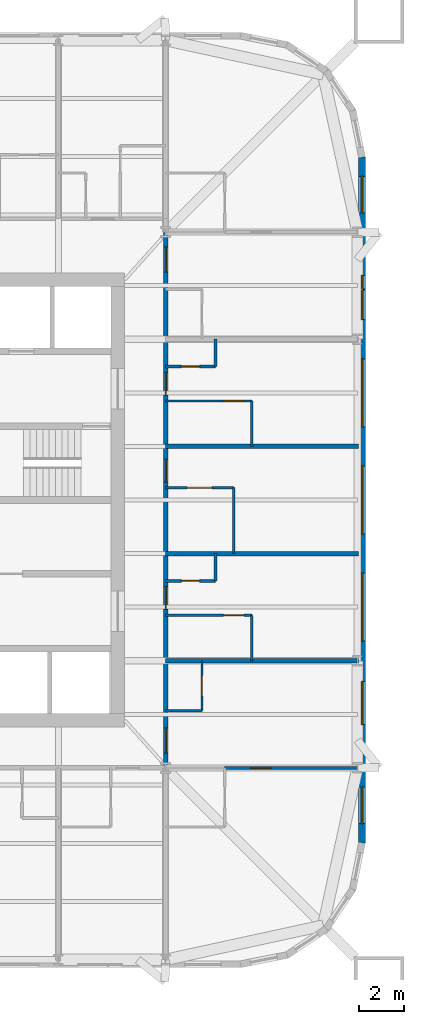
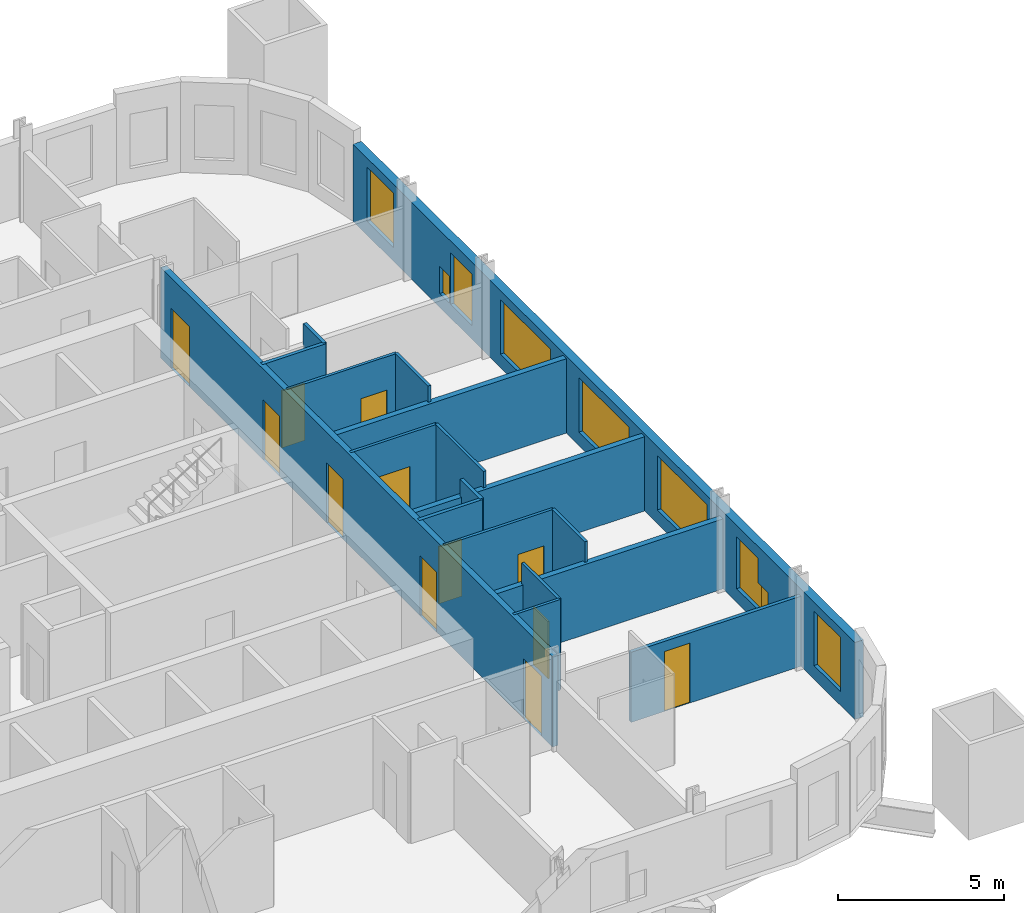
# One storey, part 6 of 9: 18 walls, 12 doors, 9 windows, 21 openings.
"""IFC4 building model written with IfcOpenShell, lengths in metres."""

from ifc_helpers import new_model, si_unit, direction, frame, frame_2d, origin, place, context, subcontext, project, spatial, rectangle, extrude, material, layer, layer_set, type_object, element, fill, save


model = new_model("IFC4")

# Units and contexts
model_context = context("Model", 3, precision=1e-05, world=origin(), true_north=direction((0.0, 1.0)))
body_context = subcontext(model_context, "Body", "Model", "MODEL_VIEW")
ifc_project = project(units=[si_unit("LENGTHUNIT", "METRE"), si_unit("AREAUNIT", "SQUARE_METRE"), si_unit("VOLUMEUNIT", "CUBIC_METRE"), si_unit("PLANEANGLEUNIT", "RADIAN"), si_unit("MASSUNIT", "GRAM", prefix="KILO")], contexts=[model_context])

# Site, building, storey
site_placement = place(None, origin())
site = spatial("IfcSite", under=ifc_project, at=site_placement, CompositionType="ELEMENT")
building_placement = place(site_placement, origin())
building = spatial("IfcBuilding", under=site, at=building_placement, Name="Turquesa Mirador Hotel Tower", CompositionType="ELEMENT")
storey_placement = place(building_placement, frame((0.0, 0.0, 107.39990234375)))
storey = spatial("IfcBuildingStorey", under=building, at=storey_placement, Name="L28", CompositionType="ELEMENT", Elevation=107.39990234375)

# Wall, opening, door
ifc_material_1 = material(Name="Gypsum board on steel studs", Category="steel")
ifc_layer_1 = layer(ifc_material_1, 0.10009765625)
ifc_layer_set_1 = layer_set([ifc_layer_1], Name="BATHROOM WALL 100")
wall_type_1 = type_object("IfcWallType", Name="BATHROOM WALL 100", PredefinedType="PARTITIONING", material=ifc_layer_set_1)
wall_1_placement = place(storey_placement, frame((66.800048828125, 39.919921875, 0.0), z_axis=(0.0, 0.0, 1.0), x_axis=(1.0, 0.0, 0.0)))
wall_1 = element("IfcWall", 1, at=wall_1_placement, inside=storey, type_object=wall_type_1, Name="Partition L28 014", PredefinedType="PARTITIONING", context=body_context, shape_type="SweptSolid", body=[
    extrude(rectangle(XDim=3.800048828125, YDim=0.10009765625, at=frame_2d((1.89990234375, 0.0))), origin(), (0.0, 0.0, 1.0), 3.330078125),
])
opening_1_placement = place(wall_1_placement, frame((2.550048828125, 0.0, 0.0)))
opening_1 = element("IfcOpeningElement", 2, at=opening_1_placement, cuts=wall_1, Name="Opening D02", PredefinedType="OPENING", context=body_context, shape_type="SweptSolid", body=[
    extrude(rectangle(XDim=0.89990234375, YDim=2.10009765625, at=frame_2d((0.449951171875, 1.050048828125))), frame((0.0, 0.06005859375, 0.0), z_axis=(0.0, -1.0, 0.0), x_axis=(1.0, 0.0, 0.0)), (0.0, 0.0, 1.0), 0.1201171875),
])
ifc_material_2 = material(Name="Timber veneered door", Category="wood")
door_type_1 = type_object("IfcDoorType", Name="DOOR 900X2100 EN-SUITE", OperationType="SINGLE_SWING_RIGHT", PredefinedType="DOOR", material=ifc_material_2)
door_1_placement = place(opening_1_placement, origin())
door_1 = element("IfcDoor", 3, at=door_1_placement, inside=storey, type_object=door_type_1, Name="Door 2808B", OperationType="SINGLE_SWING_RIGHT", OverallHeight=2.10009765625, OverallWidth=0.89990234375, PredefinedType="DOOR", context=body_context, shape_type="SweptSolid", body=[
    extrude(rectangle(XDim=0.89990234375, YDim=2.10009765625, at=frame_2d((0.449951171875, 1.050048828125))), frame((0.0, 0.02490234375, 0.0), z_axis=(0.0, -1.0, 0.0), x_axis=(1.0, 0.0, 0.0)), (0.0, 0.0, 1.0), 0.050048828125),
])
fill(opening_1, door_1)

# Wall
wall_2_placement = place(storey_placement, frame((66.800048828125, 35.719970703125, 0.0), z_axis=(0.0, 0.0, 1.0), x_axis=(1.0, 0.0, 0.0)))
element("IfcWall", 4, at=wall_2_placement, inside=storey, type_object=wall_type_1, Name="Partition L28 017", PredefinedType="PARTITIONING", context=body_context, shape_type="SweptSolid", body=[
    extrude(rectangle(XDim=1.599853515625, YDim=0.10009765625, at=frame_2d((0.7998046875, 0.0))), origin(), (0.0, 0.0, 1.0), 3.330078125),
])

# Wall, opening, door
wall_3_placement = place(storey_placement, frame((66.800048828125, 45.5400390625, 0.0), z_axis=(0.0, 0.0, 1.0), x_axis=(1.0, 0.0, 0.0)))
wall_3 = element("IfcWall", 5, at=wall_3_placement, inside=storey, type_object=wall_type_1, Name="Partition L28 019", PredefinedType="PARTITIONING", context=body_context, shape_type="SweptSolid", body=[
    extrude(rectangle(XDim=3.0, YDim=0.10009765625, at=frame_2d((1.5, 0.0))), origin(), (0.0, 0.0, 1.0), 3.330078125),
])
opening_2_placement = place(wall_3_placement, frame((0.949951171875, 0.0, 0.0)))
opening_2 = element("IfcOpeningElement", 6, at=opening_2_placement, cuts=wall_3, Name="Opening D16", PredefinedType="OPENING", context=body_context, shape_type="SweptSolid", body=[
    extrude(rectangle(XDim=1.10009765625, YDim=2.10009765625, at=frame_2d((0.550048828125, 1.050048828125))), frame((0.0, 0.06005859375, 0.0), z_axis=(0.0, -1.0, 0.0), x_axis=(1.0, 0.0, 0.0)), (0.0, 0.0, 1.0), 0.1201171875),
])
ifc_material_3 = material(Name="Timber veneered sliding door", Category="wood")
door_type_2 = type_object("IfcDoorType", Name="DOOR 1100X2100 ACCESSIBLE EN-SUITE", OperationType="SLIDING_TO_LEFT", PredefinedType="DOOR", material=ifc_material_3)
door_2_placement = place(opening_2_placement, origin())
door_2 = element("IfcDoor", 7, at=door_2_placement, inside=storey, type_object=door_type_2, Name="Door 2809B", OperationType="SLIDING_TO_LEFT", OverallHeight=2.10009765625, OverallWidth=1.10009765625, PredefinedType="DOOR", context=body_context, shape_type="SweptSolid", body=[
    extrude(rectangle(XDim=1.10009765625, YDim=2.10009765625, at=frame_2d((0.550048828125, 1.050048828125))), frame((0.0, 0.02490234375, 0.0), z_axis=(0.0, -1.0, 0.0), x_axis=(1.0, 0.0, 0.0)), (0.0, 0.0, 1.0), 0.050048828125),
])
fill(opening_2, door_2)

wall_4_placement = place(storey_placement, frame((66.800048828125, 49.360107421875, 0.0), z_axis=(0.0, 0.0, 1.0), x_axis=(1.0, 0.0, 0.0)))
wall_4 = element("IfcWall", 8, at=wall_4_placement, inside=storey, type_object=wall_type_1, Name="Partition L28 034", PredefinedType="PARTITIONING", context=body_context, shape_type="SweptSolid", body=[
    extrude(rectangle(XDim=3.800048828125, YDim=0.10009765625, at=frame_2d((1.89990234375, 0.0))), origin(), (0.0, 0.0, 1.0), 3.330078125),
])
opening_3_placement = place(wall_4_placement, frame((2.550048828125, 0.0, 0.0)))
opening_3 = element("IfcOpeningElement", 9, at=opening_3_placement, cuts=wall_4, Name="Opening D02", PredefinedType="OPENING", context=body_context, shape_type="SweptSolid", body=[
    extrude(rectangle(XDim=0.89990234375, YDim=2.10009765625, at=frame_2d((0.449951171875, 1.050048828125))), frame((0.0, 0.06005859375, 0.0), z_axis=(0.0, -1.0, 0.0), x_axis=(1.0, 0.0, 0.0)), (0.0, 0.0, 1.0), 0.1201171875),
])
door_3_placement = place(opening_3_placement, origin())
door_3 = element("IfcDoor", 10, at=door_3_placement, inside=storey, type_object=door_type_1, Name="Door 2810B", OperationType="SINGLE_SWING_RIGHT", OverallHeight=2.10009765625, OverallWidth=0.89990234375, PredefinedType="DOOR", context=body_context, shape_type="SweptSolid", body=[
    extrude(rectangle(XDim=0.89990234375, YDim=2.10009765625, at=frame_2d((0.449951171875, 1.050048828125))), frame((0.0, 0.02490234375, 0.0), z_axis=(0.0, -1.0, 0.0), x_axis=(1.0, 0.0, 0.0)), (0.0, 0.0, 1.0), 0.050048828125),
])
fill(opening_3, door_3)

wall_5_placement = place(storey_placement, frame((68.39990234375, 35.719970703125, 0.0), z_axis=(0.0, 0.0, 1.0), x_axis=(0.0, 1.0, 0.0)))
wall_5 = element("IfcWall", 11, at=wall_5_placement, inside=storey, type_object=wall_type_1, Name="Partition L28 063", PredefinedType="PARTITIONING", context=body_context, shape_type="SweptSolid", body=[
    extrude(rectangle(XDim=2.199951171875, YDim=0.10009765625, at=frame_2d((1.10009765625, 0.0))), origin(), (0.0, 0.0, 1.0), 3.330078125),
])
opening_4_placement = place(wall_5_placement, frame((0.64990234375, 0.0, 0.0)))
opening_4 = element("IfcOpeningElement", 12, at=opening_4_placement, cuts=wall_5, Name="Opening D06", PredefinedType="OPENING", context=body_context, shape_type="SweptSolid", body=[
    extrude(rectangle(XDim=0.89990234375, YDim=2.10009765625, at=frame_2d((0.449951171875, 1.050048828125))), frame((0.0, 0.06005859375, 0.0), z_axis=(0.0, -1.0, 0.0), x_axis=(1.0, 0.0, 0.0)), (0.0, 0.0, 1.0), 0.1201171875),
])
ifc_material_4 = material(Name="Laminate door", Category="wood")
door_type_3 = type_object("IfcDoorType", Name="DOOR 900X2100 WC", OperationType="SINGLE_SWING_LEFT", PredefinedType="DOOR", material=ifc_material_4)
door_4_placement = place(opening_4_placement, origin())
door_4 = element("IfcDoor", 13, at=door_4_placement, inside=storey, type_object=door_type_3, Name="Door 2816W", OperationType="SINGLE_SWING_LEFT", OverallHeight=2.10009765625, OverallWidth=0.89990234375, PredefinedType="DOOR", context=body_context, shape_type="SweptSolid", body=[
    extrude(rectangle(XDim=0.89990234375, YDim=2.10009765625, at=frame_2d((0.449951171875, 1.050048828125))), frame((0.0, 0.02490234375, 0.0), z_axis=(0.0, -1.0, 0.0), x_axis=(1.0, 0.0, 0.0)), (0.0, 0.0, 1.0), 0.050048828125),
])
fill(opening_4, door_4)

# Walls
wall_6_placement = place(storey_placement, frame((69.800048828125, 42.639892578125, 0.0), z_axis=(0.0, 0.0, 1.0), x_axis=(0.0, 1.0, 0.0)))
element("IfcWall", 14, at=wall_6_placement, inside=storey, type_object=wall_type_1, Name="Partition L28 069", PredefinedType="PARTITIONING", context=body_context, shape_type="SweptSolid", body=[
    extrude(rectangle(XDim=2.900146484375, YDim=0.10009765625, at=frame_2d((1.4501953125, 0.0))), origin(), (0.0, 0.0, 1.0), 3.330078125),
])
for number, where, z_axis, x_axis, name in (
    (15, (70.60009765625, 37.919921875, 0.0), (0.0, 0.0, 1.0), (0.0, 1.0, 0.0), "Partition L28 070"),
    (16, (70.60009765625, 47.360107421875, 0.0), (0.0, 0.0, 1.0), (0.0, 1.0, 0.0), "Partition L28 071"),
):
    element("IfcWall", number, at=place(storey_placement, frame(where, z_axis=z_axis, x_axis=x_axis)), inside=storey, type_object=wall_type_1, Name=name, PredefinedType="PARTITIONING", context=body_context, shape_type="SweptSolid", body=[
        extrude(rectangle(XDim=2.0, YDim=0.10009765625, at=frame_2d((1.0, 0.0))), origin(), (0.0, 0.0, 1.0), 3.330078125),
    ])

# Wall, openings, doors
ifc_material_5 = material(Name="Fire-rated gypsum board on steel studs", Category="steel")
ifc_layer_2 = layer(ifc_material_5, 0.199951171875)
ifc_layer_set_2 = layer_set([ifc_layer_2], Name="CORRIDOR WALL 200")
wall_type_2 = type_object("IfcWallType", Name="CORRIDOR WALL 200", PredefinedType="PARTITIONING", material=ifc_layer_set_2)
wall_7_placement = place(storey_placement, frame((66.800048828125, 33.199951171875, 0.0), z_axis=(0.0, 0.0, 1.0), x_axis=(0.0, 1.0, 0.0)))
wall_7 = element("IfcWall", 17, at=wall_7_placement, inside=storey, type_object=wall_type_2, Name="Partition L28 060", PredefinedType="PARTITIONING", context=body_context, shape_type="SweptSolid", body=[
    extrude(rectangle(XDim=23.580078125, YDim=0.199951171875, at=frame_2d((11.7900390625, 0.0))), origin(), (0.0, 0.0, 1.0), 3.330078125),
])
opening_5_placement = place(wall_7_placement, frame((6.97998046875, 0.0, 0.0)))
opening_5 = element("IfcOpeningElement", 18, at=opening_5_placement, cuts=wall_7, Name="Opening D01", PredefinedType="OPENING", context=body_context, shape_type="SweptSolid", body=[
    extrude(rectangle(XDim=1.0, YDim=2.199951171875, at=frame_2d((0.5, 1.10009765625))), frame((0.0, 0.10986328125, 0.0), z_axis=(0.0, -1.0, 0.0), x_axis=(1.0, 0.0, 0.0)), (0.0, 0.0, 1.0), 0.219970703125),
])
opening_6_placement = place(wall_7_placement, frame((12.590087890625, 0.0, 0.0)))
opening_6 = element("IfcOpeningElement", 19, at=opening_6_placement, cuts=wall_7, Name="Opening D01", PredefinedType="OPENING", context=body_context, shape_type="SweptSolid", body=[
    extrude(rectangle(XDim=1.0, YDim=2.199951171875, at=frame_2d((0.5, 1.10009765625))), frame((0.0, 0.10986328125, 0.0), z_axis=(0.0, -1.0, 0.0), x_axis=(1.0, 0.0, 0.0)), (0.0, 0.0, 1.0), 0.219970703125),
])
opening_7_placement = place(wall_7_placement, frame((16.419921875, 0.0, 0.0)))
opening_7 = element("IfcOpeningElement", 20, at=opening_7_placement, cuts=wall_7, Name="Opening D01", PredefinedType="OPENING", context=body_context, shape_type="SweptSolid", body=[
    extrude(rectangle(XDim=1.0, YDim=2.199951171875, at=frame_2d((0.5, 1.10009765625))), frame((0.0, 0.10986328125, 0.0), z_axis=(0.0, -1.0, 0.0), x_axis=(1.0, 0.0, 0.0)), (0.0, 0.0, 1.0), 0.219970703125),
])
opening_8_placement = place(wall_7_placement, frame((21.85009765625, 0.0, 0.0)))
opening_8 = element("IfcOpeningElement", 21, at=opening_8_placement, cuts=wall_7, Name="Opening D15", PredefinedType="OPENING", context=body_context, shape_type="SweptSolid", body=[
    extrude(rectangle(XDim=1.10009765625, YDim=2.199951171875, at=frame_2d((0.550048828125, 1.10009765625))), frame((0.0, 0.10986328125, 0.0), z_axis=(0.0, -1.0, 0.0), x_axis=(1.0, 0.0, 0.0)), (0.0, 0.0, 1.0), 0.219970703125),
])
opening_9_placement = place(wall_7_placement, frame((0.64990234375, 0.0, 0.0)))
opening_9 = element("IfcOpeningElement", 22, at=opening_9_placement, cuts=wall_7, Name="Opening D15", PredefinedType="OPENING", context=body_context, shape_type="SweptSolid", body=[
    extrude(rectangle(XDim=1.10009765625, YDim=2.199951171875, at=frame_2d((0.550048828125, 1.10009765625))), frame((0.0, 0.10986328125, 0.0), z_axis=(0.0, -1.0, 0.0), x_axis=(1.0, 0.0, 0.0)), (0.0, 0.0, 1.0), 0.219970703125),
])
ifc_material_6 = material(Name="Timber veneered fire door", Category="wood")
door_type_4 = type_object("IfcDoorType", Name="DOOR 1000X2200 GUEST ENTRY", OperationType="SINGLE_SWING_LEFT", PredefinedType="DOOR", material=ifc_material_6)
door_5_placement = place(opening_5_placement, origin())
door_5 = element("IfcDoor", 23, at=door_5_placement, inside=storey, type_object=door_type_4, Name="Door 2808", OperationType="SINGLE_SWING_LEFT", OverallHeight=2.199951171875, OverallWidth=1.0, PredefinedType="DOOR", context=body_context, shape_type="SweptSolid", body=[
    extrude(rectangle(XDim=1.0, YDim=2.199951171875, at=frame_2d((0.5, 1.10009765625))), frame((0.0, 0.02490234375, 0.0), z_axis=(0.0, -1.0, 0.0), x_axis=(1.0, 0.0, 0.0)), (0.0, 0.0, 1.0), 0.050048828125),
])
fill(opening_5, door_5)
door_6_placement = place(opening_6_placement, origin())
door_6 = element("IfcDoor", 24, at=door_6_placement, inside=storey, type_object=door_type_4, Name="Door 2809", OperationType="SINGLE_SWING_LEFT", OverallHeight=2.199951171875, OverallWidth=1.0, PredefinedType="DOOR", context=body_context, shape_type="SweptSolid", body=[
    extrude(rectangle(XDim=1.0, YDim=2.199951171875, at=frame_2d((0.5, 1.10009765625))), frame((0.0, 0.02490234375, 0.0), z_axis=(0.0, -1.0, 0.0), x_axis=(1.0, 0.0, 0.0)), (0.0, 0.0, 1.0), 0.050048828125),
])
fill(opening_6, door_6)
door_7_placement = place(opening_7_placement, origin())
door_7 = element("IfcDoor", 25, at=door_7_placement, inside=storey, type_object=door_type_4, Name="Door 2810", OperationType="SINGLE_SWING_LEFT", OverallHeight=2.199951171875, OverallWidth=1.0, PredefinedType="DOOR", context=body_context, shape_type="SweptSolid", body=[
    extrude(rectangle(XDim=1.0, YDim=2.199951171875, at=frame_2d((0.5, 1.10009765625))), frame((0.0, 0.02490234375, 0.0), z_axis=(0.0, -1.0, 0.0), x_axis=(1.0, 0.0, 0.0)), (0.0, 0.0, 1.0), 0.050048828125),
])
fill(opening_7, door_7)
ifc_material_7 = material(Name="Timber veneered fire door", Category="wood")
door_type_5 = type_object("IfcDoorType", Name="DOOR 1100X2200 SUITE ENTRY", OperationType="SINGLE_SWING_LEFT", PredefinedType="DOOR", material=ifc_material_7)
door_8_placement = place(opening_8_placement, origin())
door_8 = element("IfcDoor", 26, at=door_8_placement, inside=storey, type_object=door_type_5, Name="Door 2813", OperationType="SINGLE_SWING_LEFT", OverallHeight=2.199951171875, OverallWidth=1.10009765625, PredefinedType="DOOR", context=body_context, shape_type="SweptSolid", body=[
    extrude(rectangle(XDim=1.10009765625, YDim=2.199951171875, at=frame_2d((0.550048828125, 1.10009765625))), frame((0.0, 0.02490234375, 0.0), z_axis=(0.0, -1.0, 0.0), x_axis=(1.0, 0.0, 0.0)), (0.0, 0.0, 1.0), 0.050048828125),
])
fill(opening_8, door_8)
door_9_placement = place(opening_9_placement, origin())
door_9 = element("IfcDoor", 27, at=door_9_placement, inside=storey, type_object=door_type_5, Name="Door 2816", OperationType="SINGLE_SWING_LEFT", OverallHeight=2.199951171875, OverallWidth=1.10009765625, PredefinedType="DOOR", context=body_context, shape_type="SweptSolid", body=[
    extrude(rectangle(XDim=1.10009765625, YDim=2.199951171875, at=frame_2d((0.550048828125, 1.10009765625))), frame((0.0, 0.02490234375, 0.0), z_axis=(0.0, -1.0, 0.0), x_axis=(1.0, 0.0, 0.0)), (0.0, 0.0, 1.0), 0.050048828125),
])
fill(opening_9, door_9)

# Wall, openings, windows
ifc_material_8 = material(Name="Limestone cladding on concrete block", Category="masonry")
ifc_layer_3 = layer(ifc_material_8, 0.300048828125)
ifc_layer_set_3 = layer_set([ifc_layer_3], Name="FACADE WALL 300 STONE SCREEN")
wall_type_3 = type_object("IfcWallType", Name="FACADE WALL 300 STONE SCREEN", PredefinedType="SOLIDWALL", material=ifc_layer_set_3)
wall_8_placement = place(storey_placement, frame((75.449951171875, 29.89990234375, 0.0), z_axis=(0.0, 0.0, 1.0), x_axis=(0.0, 1.0, 0.0)))
wall_8 = element("IfcWall", 28, at=wall_8_placement, inside=storey, type_object=wall_type_3, Name="Facade wall L28 04", PredefinedType="SOLIDWALL", context=body_context, shape_type="SweptSolid", body=[
    extrude(rectangle(XDim=30.2001953125, YDim=0.300048828125, at=frame_2d((15.10009765625, 0.0))), origin(), (0.0, 0.0, 1.0), 2.830078125),
])
opening_10_placement = place(wall_8_placement, frame((0.85009765625, 0.0, 0.5)))
opening_10 = element("IfcOpeningElement", 29, at=opening_10_placement, cuts=wall_8, Name="Opening WN3", PredefinedType="OPENING", context=body_context, shape_type="SweptSolid", body=[
    extrude(rectangle(XDim=1.60009765625, YDim=2.0, at=frame_2d((0.800048828125, 1.0))), frame((0.0, 0.159912109375, 0.0), z_axis=(0.0, -1.0, 0.0), x_axis=(1.0, 0.0, 0.0)), (0.0, 0.0, 1.0), 0.320068359375),
])
opening_11_placement = place(wall_8_placement, frame((5.81005859375, 0.0, 0.5)))
opening_11 = element("IfcOpeningElement", 30, at=opening_11_placement, cuts=wall_8, Name="Opening WN27", PredefinedType="OPENING", context=body_context, shape_type="SweptSolid", body=[
    extrude(rectangle(XDim=1.300048828125, YDim=1.89990234375, at=frame_2d((0.64990234375, 0.949951171875))), frame((0.0, 0.159912109375, 0.0), z_axis=(0.0, -1.0, 0.0), x_axis=(1.0, 0.0, 0.0)), (0.0, 0.0, 1.0), 0.320068359375),
])
opening_12_placement = place(wall_8_placement, frame((8.8798828125, 0.0, 0.5)))
opening_12 = element("IfcOpeningElement", 31, at=opening_12_placement, cuts=wall_8, Name="Opening WN1", PredefinedType="OPENING", context=body_context, shape_type="SweptSolid", body=[
    extrude(rectangle(XDim=3.0, YDim=2.0, at=frame_2d((1.5, 1.0))), frame((0.0, 0.159912109375, 0.0), z_axis=(0.0, -1.0, 0.0), x_axis=(1.0, 0.0, 0.0)), (0.0, 0.0, 1.0), 0.320068359375),
])
opening_13_placement = place(wall_8_placement, frame((13.60009765625, 0.0, 0.5)))
opening_13 = element("IfcOpeningElement", 32, at=opening_13_placement, cuts=wall_8, Name="Opening WN1", PredefinedType="OPENING", context=body_context, shape_type="SweptSolid", body=[
    extrude(rectangle(XDim=3.0, YDim=2.0, at=frame_2d((1.5, 1.0))), frame((0.0, 0.159912109375, 0.0), z_axis=(0.0, -1.0, 0.0), x_axis=(1.0, 0.0, 0.0)), (0.0, 0.0, 1.0), 0.320068359375),
])
opening_14_placement = place(wall_8_placement, frame((18.320068359375, 0.0, 0.5)))
opening_14 = element("IfcOpeningElement", 33, at=opening_14_placement, cuts=wall_8, Name="Opening WN1", PredefinedType="OPENING", context=body_context, shape_type="SweptSolid", body=[
    extrude(rectangle(XDim=3.0, YDim=2.0, at=frame_2d((1.5, 1.0))), frame((0.0, 0.159912109375, 0.0), z_axis=(0.0, -1.0, 0.0), x_axis=(1.0, 0.0, 0.0)), (0.0, 0.0, 1.0), 0.320068359375),
])
opening_15_placement = place(wall_8_placement, frame((23.0400390625, 0.0, 0.5)))
opening_15 = element("IfcOpeningElement", 34, at=opening_15_placement, cuts=wall_8, Name="Opening WN27", PredefinedType="OPENING", context=body_context, shape_type="SweptSolid", body=[
    extrude(rectangle(XDim=1.300048828125, YDim=1.89990234375, at=frame_2d((0.64990234375, 0.949951171875))), frame((0.0, 0.159912109375, 0.0), z_axis=(0.0, -1.0, 0.0), x_axis=(1.0, 0.0, 0.0)), (0.0, 0.0, 1.0), 0.320068359375),
])
opening_16_placement = place(wall_8_placement, frame((27.75, 0.0, 0.5)))
opening_16 = element("IfcOpeningElement", 35, at=opening_16_placement, cuts=wall_8, Name="Opening WN3", PredefinedType="OPENING", context=body_context, shape_type="SweptSolid", body=[
    extrude(rectangle(XDim=1.60009765625, YDim=2.0, at=frame_2d((0.800048828125, 1.0))), frame((0.0, 0.159912109375, 0.0), z_axis=(0.0, -1.0, 0.0), x_axis=(1.0, 0.0, 0.0)), (0.0, 0.0, 1.0), 0.320068359375),
])
opening_17_placement = place(wall_8_placement, frame((5.2099609375, 0.0, 0.5)))
opening_17 = element("IfcOpeningElement", 36, at=opening_17_placement, cuts=wall_8, Name="Opening WN29", PredefinedType="OPENING", context=body_context, shape_type="SweptSolid", body=[
    extrude(rectangle(XDim=0.60009765625, YDim=1.0, at=frame_2d((0.300048828125, 0.5))), frame((0.0, 0.159912109375, 0.0), z_axis=(0.0, -1.0, 0.0), x_axis=(1.0, 0.0, 0.0)), (0.0, 0.0, 1.0), 0.320068359375),
])
opening_18_placement = place(wall_8_placement, frame((24.389892578125, 0.0, 0.5)))
opening_18 = element("IfcOpeningElement", 37, at=opening_18_placement, cuts=wall_8, Name="Opening WN29", PredefinedType="OPENING", context=body_context, shape_type="SweptSolid", body=[
    extrude(rectangle(XDim=0.60009765625, YDim=1.0, at=frame_2d((0.300048828125, 0.5))), frame((0.0, 0.159912109375, 0.0), z_axis=(0.0, -1.0, 0.0), x_axis=(1.0, 0.0, 0.0)), (0.0, 0.0, 1.0), 0.320068359375),
])
ifc_material_9 = material(Name="Ceramic-fritted laminated glass", Category="glass")
window_type_1 = type_object("IfcWindowType", Name="FRITTED WINDOW 1300X1900", PartitioningType="DOUBLE_PANEL_HORIZONTAL", PredefinedType="WINDOW", material=ifc_material_9)
window_1_placement = place(opening_11_placement, origin())
window_1 = element("IfcWindow", 38, at=window_1_placement, inside=storey, type_object=window_type_1, Name="Window L28", OverallHeight=1.89990234375, OverallWidth=1.300048828125, PartitioningType="SINGLE_PANEL", PredefinedType="WINDOW", context=body_context, shape_type="SweptSolid", body=[
    extrude(rectangle(XDim=1.300048828125, YDim=1.89990234375, at=frame_2d((0.64990234375, 0.949951171875))), frame((0.0, 0.030029296875, 0.0), z_axis=(0.0, -1.0, 0.0), x_axis=(1.0, 0.0, 0.0)), (0.0, 0.0, 1.0), 0.06005859375),
])
fill(opening_11, window_1)
window_2_placement = place(opening_15_placement, origin())
window_2 = element("IfcWindow", 39, at=window_2_placement, inside=storey, type_object=window_type_1, Name="Window L28", OverallHeight=1.89990234375, OverallWidth=1.300048828125, PartitioningType="SINGLE_PANEL", PredefinedType="WINDOW", context=body_context, shape_type="SweptSolid", body=[
    extrude(rectangle(XDim=1.300048828125, YDim=1.89990234375, at=frame_2d((0.64990234375, 0.949951171875))), frame((0.0, 0.030029296875, 0.0), z_axis=(0.0, -1.0, 0.0), x_axis=(1.0, 0.0, 0.0)), (0.0, 0.0, 1.0), 0.06005859375),
])
fill(opening_15, window_2)
ifc_material_10 = material(Name="Ceramic-fritted laminated glass", Category="glass")
window_type_2 = type_object("IfcWindowType", Name="FRITTED WINDOW 1600X2000", PartitioningType="DOUBLE_PANEL_HORIZONTAL", PredefinedType="WINDOW", material=ifc_material_10)
window_3_placement = place(opening_10_placement, origin())
window_3 = element("IfcWindow", 40, at=window_3_placement, inside=storey, type_object=window_type_2, Name="Window L28", OverallHeight=2.0, OverallWidth=1.60009765625, PartitioningType="SINGLE_PANEL", PredefinedType="WINDOW", context=body_context, shape_type="SweptSolid", body=[
    extrude(rectangle(XDim=1.60009765625, YDim=2.0, at=frame_2d((0.800048828125, 1.0))), frame((0.0, 0.030029296875, 0.0), z_axis=(0.0, -1.0, 0.0), x_axis=(1.0, 0.0, 0.0)), (0.0, 0.0, 1.0), 0.06005859375),
])
fill(opening_10, window_3)
window_4_placement = place(opening_16_placement, origin())
window_4 = element("IfcWindow", 41, at=window_4_placement, inside=storey, type_object=window_type_2, Name="Window L28", OverallHeight=2.0, OverallWidth=1.60009765625, PartitioningType="SINGLE_PANEL", PredefinedType="WINDOW", context=body_context, shape_type="SweptSolid", body=[
    extrude(rectangle(XDim=1.60009765625, YDim=2.0, at=frame_2d((0.800048828125, 1.0))), frame((0.0, 0.030029296875, 0.0), z_axis=(0.0, -1.0, 0.0), x_axis=(1.0, 0.0, 0.0)), (0.0, 0.0, 1.0), 0.06005859375),
])
fill(opening_16, window_4)
ifc_material_11 = material(Name="Ceramic-fritted laminated glass", Category="glass")
window_type_3 = type_object("IfcWindowType", Name="FRITTED WINDOW 3000X2000", PartitioningType="DOUBLE_PANEL_HORIZONTAL", PredefinedType="WINDOW", material=ifc_material_11)
window_5_placement = place(opening_12_placement, origin())
window_5 = element("IfcWindow", 42, at=window_5_placement, inside=storey, type_object=window_type_3, Name="Window L28", OverallHeight=2.0, OverallWidth=3.0, PartitioningType="SINGLE_PANEL", PredefinedType="WINDOW", context=body_context, shape_type="SweptSolid", body=[
    extrude(rectangle(XDim=3.0, YDim=2.0, at=frame_2d((1.5, 1.0))), frame((0.0, 0.030029296875, 0.0), z_axis=(0.0, -1.0, 0.0), x_axis=(1.0, 0.0, 0.0)), (0.0, 0.0, 1.0), 0.06005859375),
])
fill(opening_12, window_5)
window_6_placement = place(opening_13_placement, origin())
window_6 = element("IfcWindow", 43, at=window_6_placement, inside=storey, type_object=window_type_3, Name="Window L28", OverallHeight=2.0, OverallWidth=3.0, PartitioningType="SINGLE_PANEL", PredefinedType="WINDOW", context=body_context, shape_type="SweptSolid", body=[
    extrude(rectangle(XDim=3.0, YDim=2.0, at=frame_2d((1.5, 1.0))), frame((0.0, 0.030029296875, 0.0), z_axis=(0.0, -1.0, 0.0), x_axis=(1.0, 0.0, 0.0)), (0.0, 0.0, 1.0), 0.06005859375),
])
fill(opening_13, window_6)
window_7_placement = place(opening_14_placement, origin())
window_7 = element("IfcWindow", 44, at=window_7_placement, inside=storey, type_object=window_type_3, Name="Window L28", OverallHeight=2.0, OverallWidth=3.0, PartitioningType="SINGLE_PANEL", PredefinedType="WINDOW", context=body_context, shape_type="SweptSolid", body=[
    extrude(rectangle(XDim=3.0, YDim=2.0, at=frame_2d((1.5, 1.0))), frame((0.0, 0.030029296875, 0.0), z_axis=(0.0, -1.0, 0.0), x_axis=(1.0, 0.0, 0.0)), (0.0, 0.0, 1.0), 0.06005859375),
])
fill(opening_14, window_7)
ifc_material_12 = material(Name="Ceramic-fritted laminated glass", Category="glass")
window_type_4 = type_object("IfcWindowType", Name="FRITTED WINDOW 600X1000", PartitioningType="DOUBLE_PANEL_HORIZONTAL", PredefinedType="WINDOW", material=ifc_material_12)
window_8_placement = place(opening_17_placement, origin())
window_8 = element("IfcWindow", 45, at=window_8_placement, inside=storey, type_object=window_type_4, Name="Window L28", OverallHeight=1.0, OverallWidth=0.60009765625, PartitioningType="SINGLE_PANEL", PredefinedType="WINDOW", context=body_context, shape_type="SweptSolid", body=[
    extrude(rectangle(XDim=0.60009765625, YDim=1.0, at=frame_2d((0.300048828125, 0.5))), frame((0.0, 0.030029296875, 0.0), z_axis=(0.0, -1.0, 0.0), x_axis=(1.0, 0.0, 0.0)), (0.0, 0.0, 1.0), 0.06005859375),
])
fill(opening_17, window_8)
window_9_placement = place(opening_18_placement, origin())
window_9 = element("IfcWindow", 46, at=window_9_placement, inside=storey, type_object=window_type_4, Name="Window L28", OverallHeight=1.0, OverallWidth=0.60009765625, PartitioningType="SINGLE_PANEL", PredefinedType="WINDOW", context=body_context, shape_type="SweptSolid", body=[
    extrude(rectangle(XDim=0.60009765625, YDim=1.0, at=frame_2d((0.300048828125, 0.5))), frame((0.0, 0.030029296875, 0.0), z_axis=(0.0, -1.0, 0.0), x_axis=(1.0, 0.0, 0.0)), (0.0, 0.0, 1.0), 0.06005859375),
])
fill(opening_18, window_9)

# Walls
ifc_material_13 = material(Name="Fire-rated gypsum board on steel studs", Category="steel")
ifc_layer_4 = layer(ifc_material_13, 0.199951171875)
ifc_layer_set_4 = layer_set([ifc_layer_4], Name="PARTY WALL 200")
wall_type_4 = type_object("IfcWallType", Name="PARTY WALL 200", PredefinedType="PARTITIONING", material=ifc_layer_set_4)
wall_9_placement = place(storey_placement, frame((66.800048828125, 42.639892578125, 0.0), z_axis=(0.0, 0.0, 1.0), x_axis=(1.0, 0.0, 0.0)))
element("IfcWall", 47, at=wall_9_placement, inside=storey, type_object=wall_type_4, Name="Partition L28 011", PredefinedType="PARTITIONING", context=body_context, shape_type="SweptSolid", body=[
    extrude(rectangle(XDim=8.5, YDim=0.199951171875, at=frame_2d((4.25, 0.0))), origin(), (0.0, 0.0, 1.0), 2.730712890625),
])
wall_10_placement = place(storey_placement, frame((66.800048828125, 37.919921875, 0.0), z_axis=(0.0, 0.0, 1.0), x_axis=(1.0, 0.0, 0.0)))
element("IfcWall", 48, at=wall_10_placement, inside=storey, type_object=wall_type_4, Name="Partition L28 016", PredefinedType="PARTITIONING", context=body_context, shape_type="SweptSolid", body=[
    extrude(rectangle(XDim=8.5, YDim=0.199951171875, at=frame_2d((4.25, 0.0))), origin(), (0.0, 0.0, 1.0), 2.5732421875),
])
wall_11_placement = place(storey_placement, frame((66.800048828125, 47.360107421875, 0.0), z_axis=(0.0, 0.0, 1.0), x_axis=(1.0, 0.0, 0.0)))
element("IfcWall", 49, at=wall_11_placement, inside=storey, type_object=wall_type_4, Name="Partition L28 033", PredefinedType="PARTITIONING", context=body_context, shape_type="SweptSolid", body=[
    extrude(rectangle(XDim=8.5, YDim=0.199951171875, at=frame_2d((4.25, 0.0))), origin(), (0.0, 0.0, 1.0), 2.730712890625),
])

# Wall, opening, door
ifc_material_14 = material(Name="Acoustic gypsum board on steel studs", Category="steel")
ifc_layer_5 = layer(ifc_material_14, 0.125)
ifc_layer_set_5 = layer_set([ifc_layer_5], Name="SUITE PARTITION 125")
wall_type_5 = type_object("IfcWallType", Name="SUITE PARTITION 125", PredefinedType="PARTITIONING", material=ifc_layer_set_5)
wall_12_placement = place(storey_placement, frame((69.39990234375, 33.199951171875, 0.0), z_axis=(0.0, 0.0, 1.0), x_axis=(1.0, 0.0, 0.0)))
wall_12 = element("IfcWall", 50, at=wall_12_placement, inside=storey, type_object=wall_type_5, Name="Partition L28 004", PredefinedType="PARTITIONING", context=body_context, shape_type="SweptSolid", body=[
    extrude(rectangle(XDim=5.900146484375, YDim=0.125, at=frame_2d((2.9501953125, 0.0))), origin(), (0.0, 0.0, 1.0), 2.5732421875),
])
opening_19_placement = place(wall_12_placement, frame((1.14990234375, 0.0, 0.0)))
opening_19 = element("IfcOpeningElement", 51, at=opening_19_placement, cuts=wall_12, Name="Opening D17", PredefinedType="OPENING", context=body_context, shape_type="SweptSolid", body=[
    extrude(rectangle(XDim=0.89990234375, YDim=2.199951171875, at=frame_2d((0.449951171875, 1.10009765625))), frame((0.0, 0.072509765625, 0.0), z_axis=(0.0, -1.0, 0.0), x_axis=(1.0, 0.0, 0.0)), (0.0, 0.0, 1.0), 0.14501953125),
])
ifc_material_15 = material(Name="Timber veneered door", Category="wood")
door_type_6 = type_object("IfcDoorType", Name="DOOR 900X2200 SUITE INTERNAL", OperationType="SINGLE_SWING_LEFT", PredefinedType="DOOR", material=ifc_material_15)
door_10_placement = place(opening_19_placement, origin())
door_10 = element("IfcDoor", 52, at=door_10_placement, inside=storey, type_object=door_type_6, Name="Door 2816R", OperationType="SINGLE_SWING_LEFT", OverallHeight=2.199951171875, OverallWidth=0.89990234375, PredefinedType="DOOR", context=body_context, shape_type="SweptSolid", body=[
    extrude(rectangle(XDim=0.89990234375, YDim=2.199951171875, at=frame_2d((0.449951171875, 1.10009765625))), frame((0.0, 0.02490234375, 0.0), z_axis=(0.0, -1.0, 0.0), x_axis=(1.0, 0.0, 0.0)), (0.0, 0.0, 1.0), 0.050048828125),
])
fill(opening_19, door_10)

wall_13_placement = place(storey_placement, frame((66.800048828125, 41.43994140625, 0.0), z_axis=(0.0, 0.0, 1.0), x_axis=(1.0, 0.0, 0.0)))
wall_13 = element("IfcWall", 53, at=wall_13_placement, inside=storey, type_object=wall_type_5, Name="Partition L28 012", PredefinedType="PARTITIONING", context=body_context, shape_type="SweptSolid", body=[
    extrude(rectangle(XDim=2.199951171875, YDim=0.125, at=frame_2d((1.10009765625, 0.0))), origin(), (0.0, 0.0, 1.0), 3.330078125),
])
opening_20_placement = place(wall_13_placement, frame((0.699951171875, 0.0, 0.0)))
opening_20 = element("IfcOpeningElement", 54, at=opening_20_placement, cuts=wall_13, Name="Opening D20", PredefinedType="OPENING", context=body_context, shape_type="SweptSolid", body=[
    extrude(rectangle(XDim=0.800048828125, YDim=2.10009765625, at=frame_2d((0.39990234375, 1.050048828125))), frame((0.0, 0.072509765625, 0.0), z_axis=(0.0, -1.0, 0.0), x_axis=(1.0, 0.0, 0.0)), (0.0, 0.0, 1.0), 0.14501953125),
])
ifc_material_16 = material(Name="Timber veneered sliding door", Category="wood")
door_type_7 = type_object("IfcDoorType", Name="DOOR 800X2100 WARDROBE", OperationType="SLIDING_TO_LEFT", PredefinedType="DOOR", material=ifc_material_16)
door_11_placement = place(opening_20_placement, origin())
door_11 = element("IfcDoor", 55, at=door_11_placement, inside=storey, type_object=door_type_7, Name="Door 2808W", OperationType="SLIDING_TO_LEFT", OverallHeight=2.10009765625, OverallWidth=0.800048828125, PredefinedType="DOOR", context=body_context, shape_type="SweptSolid", body=[
    extrude(rectangle(XDim=0.800048828125, YDim=2.10009765625, at=frame_2d((0.39990234375, 1.050048828125))), frame((0.0, 0.02490234375, 0.0), z_axis=(0.0, -1.0, 0.0), x_axis=(1.0, 0.0, 0.0)), (0.0, 0.0, 1.0), 0.050048828125),
])
fill(opening_20, door_11)

wall_14_placement = place(storey_placement, frame((66.800048828125, 50.8798828125, 0.0), z_axis=(0.0, 0.0, 1.0), x_axis=(1.0, 0.0, 0.0)))
wall_14 = element("IfcWall", 56, at=wall_14_placement, inside=storey, type_object=wall_type_5, Name="Partition L28 036", PredefinedType="PARTITIONING", context=body_context, shape_type="SweptSolid", body=[
    extrude(rectangle(XDim=2.199951171875, YDim=0.125, at=frame_2d((1.10009765625, 0.0))), origin(), (0.0, 0.0, 1.0), 3.330078125),
])
opening_21_placement = place(wall_14_placement, frame((0.699951171875, 0.0, 0.0)))
opening_21 = element("IfcOpeningElement", 57, at=opening_21_placement, cuts=wall_14, Name="Opening D20", PredefinedType="OPENING", context=body_context, shape_type="SweptSolid", body=[
    extrude(rectangle(XDim=0.800048828125, YDim=2.10009765625, at=frame_2d((0.39990234375, 1.050048828125))), frame((0.0, 0.072509765625, 0.0), z_axis=(0.0, -1.0, 0.0), x_axis=(1.0, 0.0, 0.0)), (0.0, 0.0, 1.0), 0.14501953125),
])
door_12_placement = place(opening_21_placement, origin())
door_12 = element("IfcDoor", 58, at=door_12_placement, inside=storey, type_object=door_type_7, Name="Door 2810W", OperationType="SLIDING_TO_LEFT", OverallHeight=2.10009765625, OverallWidth=0.800048828125, PredefinedType="DOOR", context=body_context, shape_type="SweptSolid", body=[
    extrude(rectangle(XDim=0.800048828125, YDim=2.10009765625, at=frame_2d((0.39990234375, 1.050048828125))), frame((0.0, 0.02490234375, 0.0), z_axis=(0.0, -1.0, 0.0), x_axis=(1.0, 0.0, 0.0)), (0.0, 0.0, 1.0), 0.050048828125),
])
fill(opening_21, door_12)

# Walls
wall_15_placement = place(storey_placement, frame((69.0, 41.43994140625, 0.0), z_axis=(0.0, 0.0, 1.0), x_axis=(0.0, 1.0, 0.0)))
element("IfcWall", 59, at=wall_15_placement, inside=storey, type_object=wall_type_5, Name="Partition L28 065", PredefinedType="PARTITIONING", context=body_context, shape_type="SweptSolid", body=[
    extrude(rectangle(XDim=1.199951171875, YDim=0.125, at=frame_2d((0.60009765625, 0.0))), origin(), (0.0, 0.0, 1.0), 3.330078125),
])
wall_16_placement = place(storey_placement, frame((69.0, 50.8798828125, 0.0), z_axis=(0.0, 0.0, 1.0), x_axis=(0.0, 1.0, 0.0)))
element("IfcWall", 60, at=wall_16_placement, inside=storey, type_object=wall_type_5, Name="Partition L28 066", PredefinedType="PARTITIONING", context=body_context, shape_type="SweptSolid", body=[
    extrude(rectangle(XDim=1.2001953125, YDim=0.125, at=frame_2d((0.60009765625, 0.0))), origin(), (0.0, 0.0, 1.0), 3.330078125),
])

save(model, "model.ifc")
